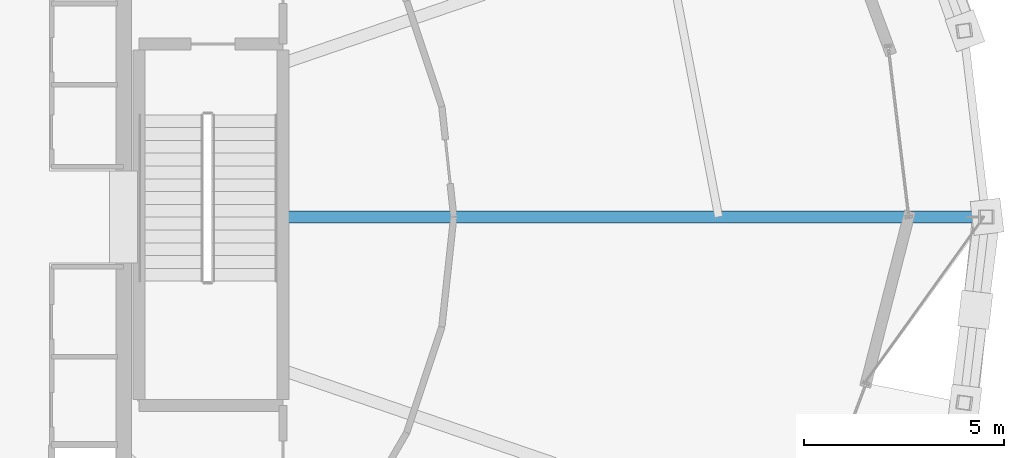
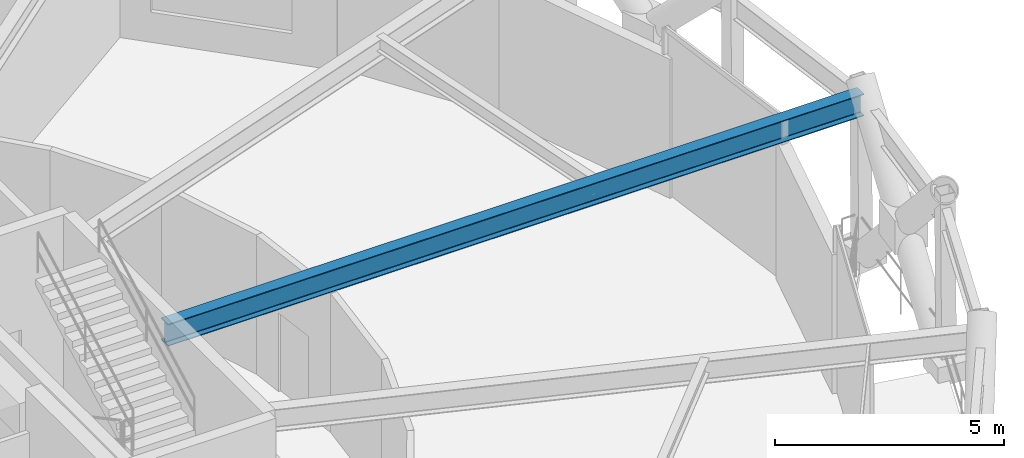
# One storey, part 18 of 39: 1 beam.
"""IFC4 building model written with IfcOpenShell, lengths in metres."""

from ifc_helpers import new_model, si_unit, direction, frame, origin, origin_2d, place, context, subcontext, project, spatial, i_section, extrude, material, material_profile, profile_set, type_object, element, save


model = new_model("IFC4")

# Units and contexts
model_context = context("Model", 3, precision=1e-05, world=origin(), true_north=direction((0.0, 1.0)))
body_context = subcontext(model_context, "Body", "Model", "MODEL_VIEW")
ifc_project = project(units=[si_unit("LENGTHUNIT", "METRE"), si_unit("AREAUNIT", "SQUARE_METRE"), si_unit("VOLUMEUNIT", "CUBIC_METRE"), si_unit("PLANEANGLEUNIT", "RADIAN"), si_unit("MASSUNIT", "GRAM", prefix="KILO")], contexts=[model_context])

# Site, building, storey
site_placement = place(None, origin())
site = spatial("IfcSite", under=ifc_project, at=site_placement, CompositionType="ELEMENT")
building_placement = place(site_placement, origin())
building = spatial("IfcBuilding", under=site, at=building_placement, Name="Veldorina Hangang Commons", CompositionType="ELEMENT")
storey_placement = place(building_placement, frame((0.0, 0.0, 106.0)))
storey = spatial("IfcBuildingStorey", under=building, at=storey_placement, Name="L27", CompositionType="ELEMENT", Elevation=106.0)

# Beam
ifc_material = material(Name="Steel SM460-TMC", Category="steel")
ifc_material_profile = material_profile(ifc_material, i_section(OverallWidth=0.300048828125, OverallDepth=0.587890625, WebThickness=0.011962890625, FlangeThickness=0.02001953125, FilletRadius=0.01806640625, at=origin_2d()), Name="H-588x300x12x20")
ifc_profile_set = profile_set([ifc_material_profile], Name="Steel SM460-TMC")
beam_type = type_object("IfcBeamType", Name="BM-FG588", PredefinedType="BEAM", material=ifc_profile_set)
beam_placement = place(storey_placement, frame((43.179931640625, 24.0, 4.14599609375), z_axis=(1.0, 0.0, 0.0), x_axis=(0.0, 1.0, 0.0)))
element("IfcBeam", 1, at=beam_placement, inside=storey, type_object=beam_type, Name="L27 radial floor girder 01", PredefinedType="BEAM", context=body_context, shape_type="SweptSolid", body=[
    extrude(i_section(OverallWidth=0.300048828125, OverallDepth=0.587890625, WebThickness=0.011962890625, FlangeThickness=0.02001953125, FilletRadius=0.01806640625, at=origin_2d()), origin(), (0.0, 0.0, 1.0), 17.570556640625),
])

save(model, "model.ifc")
